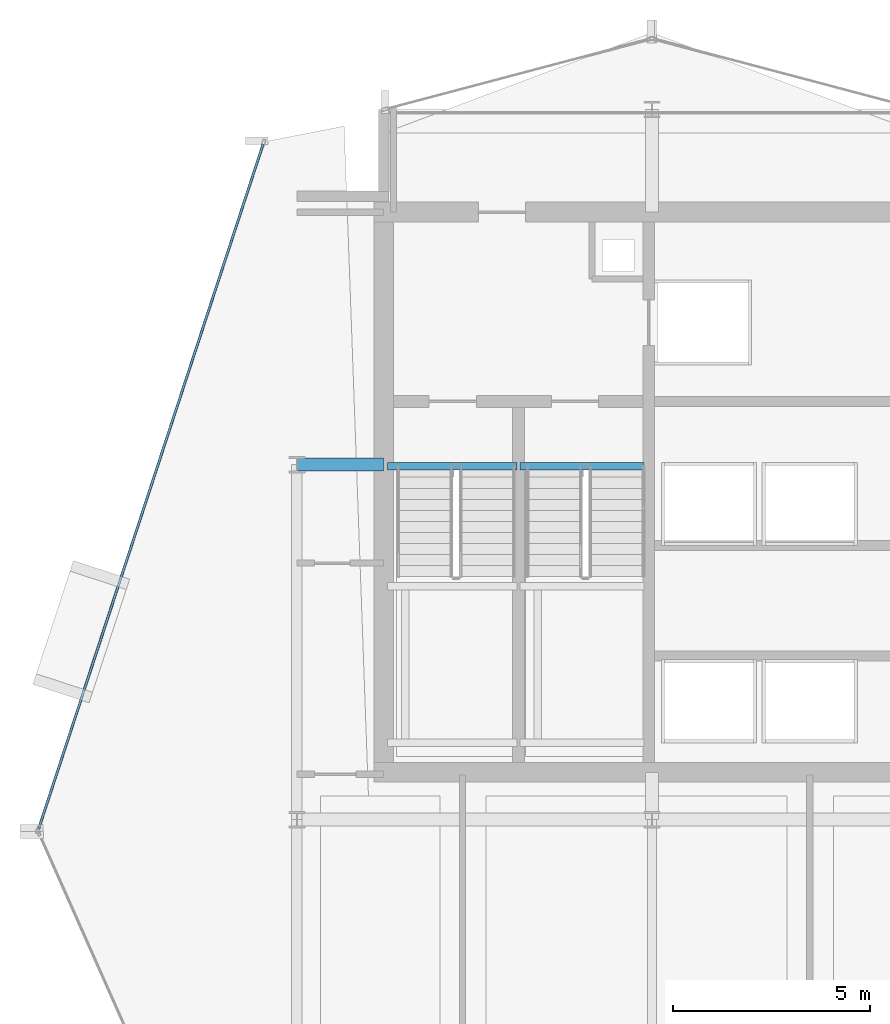
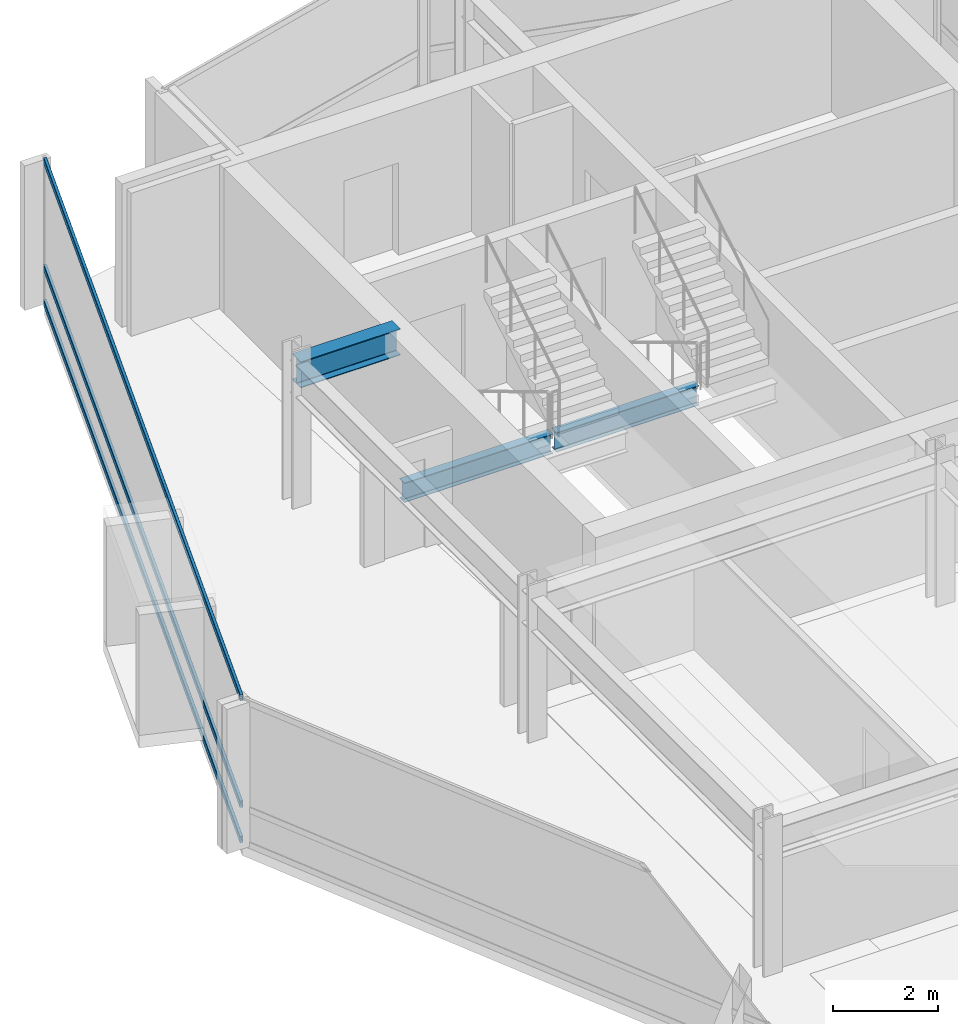
# One storey, part 15 of 27: 3 beams, 3 members, 1 element without a shape of its own.
"""IFC4 building model written with IfcOpenShell, lengths in metres."""

from ifc_helpers import new_model, si_unit, direction, frame, origin, origin_2d, place, context, subcontext, project, spatial, hollow_rectangle, i_section, extrude, material, layer, layer_set, material_profile, profile_set, type_object, element, aggregate, save


model = new_model("IFC4")

# Units and contexts
model_context = context("Model", 3, precision=1e-05, world=origin(), true_north=direction((0.0, 1.0)))
body_context = subcontext(model_context, "Body", "Model", "MODEL_VIEW")
ifc_project = project(units=[si_unit("LENGTHUNIT", "METRE"), si_unit("AREAUNIT", "SQUARE_METRE"), si_unit("VOLUMEUNIT", "CUBIC_METRE"), si_unit("PLANEANGLEUNIT", "RADIAN"), si_unit("MASSUNIT", "GRAM", prefix="KILO")], contexts=[model_context])

# Site, building, storey
site_placement = place(None, origin())
site = spatial("IfcSite", under=ifc_project, at=site_placement, CompositionType="ELEMENT")
building_placement = place(site_placement, origin())
building = spatial("IfcBuilding", under=site, at=building_placement, Name="Solvaryn Broadcast Tower", CompositionType="ELEMENT")
storey_placement = place(building_placement, frame((0.0, 0.0, 192.699951171875)))
storey = spatial("IfcBuildingStorey", under=building, at=storey_placement, Name="L48", CompositionType="ELEMENT", Elevation=192.699951171875)

# Beams
ifc_material_1 = material(Name="Steel ASTM A992 Grade 50", Category="steel")
ifc_material_profile_1 = material_profile(ifc_material_1, i_section(OverallWidth=0.323974609375, OverallDepth=0.611083984375, WebThickness=0.0126953125, FlangeThickness=0.01904296875, FilletRadius=0.014892578125, at=origin_2d()))
ifc_profile_set_1 = profile_set([ifc_material_profile_1], Name="Steel ASTM A992 Grade 50")
beam_type_1 = type_object("IfcBeamType", Name="BM-B1-W24X104", PredefinedType="BEAM", material=ifc_profile_set_1)
beam_1_placement = place(storey_placement, frame((9.0, 36.0, 3.064453125), z_axis=(1.0, 0.0, 0.0), x_axis=(0.0, 1.0, 0.0)))
element("IfcBeam", 1, at=beam_1_placement, inside=storey, type_object=beam_type_1, Name="L48 Core Tie Beam CTW1", PredefinedType="BEAM", context=body_context, shape_type="SweptSolid", body=[
    extrude(i_section(OverallWidth=0.323974609375, OverallDepth=0.611083984375, WebThickness=0.0126953125, FlangeThickness=0.01904296875, FilletRadius=0.014892578125, at=origin_2d()), origin(), (0.0, 0.0, 1.0), 2.199951171875),
])
ifc_material_2 = material(Name="Steel ASTM A992 Grade 50", Category="steel")
ifc_material_profile_2 = material_profile(ifc_material_2, i_section(OverallWidth=0.18994140625, OverallDepth=0.45703125, WebThickness=0.009033203125, FlangeThickness=0.014404296875, FilletRadius=0.011962890625, at=origin_2d()))
ifc_profile_set_2 = profile_set([ifc_material_profile_2], Name="Steel ASTM A992 Grade 50")
beam_type_2 = type_object("IfcBeamType", Name="BM-B4-W18X50", PredefinedType="BEAM", material=ifc_profile_set_2)
beam_2_placement = place(storey_placement, frame((11.300048828125, 35.9599609375, -0.508544921875), z_axis=(1.0, 0.0, 0.0), x_axis=(0.0, 1.0, 0.0)))
element("IfcBeam", 2, at=beam_2_placement, inside=storey, type_object=beam_type_2, Name="L48 ST1 Stair Well Trimmer Beam", PredefinedType="BEAM", context=body_context, shape_type="SweptSolid", body=[
    extrude(i_section(OverallWidth=0.18994140625, OverallDepth=0.45703125, WebThickness=0.009033203125, FlangeThickness=0.014404296875, FilletRadius=0.011962890625, at=origin_2d()), origin(), (0.0, 0.0, 1.0), 3.280029296875),
])
beam_3_placement = place(storey_placement, frame((14.659912109375, 35.9599609375, -0.508544921875), z_axis=(1.0, 0.0, 0.0), x_axis=(0.0, 1.0, 0.0)))
element("IfcBeam", 3, at=beam_3_placement, inside=storey, type_object=beam_type_2, Name="L48 ST2 Stair Well Trimmer Beam", PredefinedType="BEAM", context=body_context, shape_type="SweptSolid", body=[
    extrude(i_section(OverallWidth=0.18994140625, OverallDepth=0.45703125, WebThickness=0.009033203125, FlangeThickness=0.014404296875, FilletRadius=0.011962890625, at=origin_2d()), origin(), (0.0, 0.0, 1.0), 3.14013671875),
])

# Curtain wall, members
ifc_material_3 = material(Name="Aluminium and Terracotta Unitised Curtain Wall", Category="masonry")
ifc_layer = layer(ifc_material_3, 0.199951171875)
ifc_layer_set = layer_set([ifc_layer], Name="CW-SYS2-LOWMID")
curtain_wall_type = type_object("IfcCurtainWallType", Name="CW-SYS2-LOWMID", PredefinedType="NOTDEFINED", material=ifc_layer_set)
curtain_wall_placement = place(storey_placement, origin())
curtain_wall = element("IfcCurtainWall", 4, at=curtain_wall_placement, inside=storey, type_object=curtain_wall_type, Name="L48 Curtain Wall DR1", PredefinedType="NOTDEFINED")
ifc_material_4 = material(Name="Anodised Aluminium 6063-T6", Category="aluminium")
ifc_material_profile_3 = material_profile(ifc_material_4, hollow_rectangle(XDim=0.06494140625, YDim=0.14990234375, WallThickness=0.00390625, InnerFilletRadius=0.00390625, OuterFilletRadius=0.008056640625, at=origin_2d()))
ifc_profile_set_3 = profile_set([ifc_material_profile_3], Name="Anodised Aluminium 6063-T6")
member_type = type_object("IfcMemberType", Name="CW-TRN-150", PredefinedType="USERDEFINED", material=ifc_profile_set_3)
member_1_placement = place(storey_placement, frame((8.144287109375, 44.125, 0.030029296875), z_axis=(-0.311557987209, -0.950227141586, 0.0), x_axis=(0.950227141586, -0.311557987209, 0.0)))
member_1 = element("IfcMember", 5, at=member_1_placement, type_object=member_type, Name="CWS2 transom 1.1", ObjectType="TRANSOM", PredefinedType="USERDEFINED", context=body_context, shape_type="SweptSolid", body=[
    extrude(hollow_rectangle(XDim=0.06494140625, YDim=0.14990234375, WallThickness=0.00390625, InnerFilletRadius=0.00390625, OuterFilletRadius=0.008056640625, at=origin_2d()), origin(), (0.0, 0.0, 1.0), 18.271484375),
])
member_2_placement = place(storey_placement, frame((8.144287109375, 44.125, 0.85009765625), z_axis=(-0.311557987209, -0.950227141586, 0.0), x_axis=(0.950227141586, -0.311557987209, 0.0)))
member_2 = element("IfcMember", 6, at=member_2_placement, type_object=member_type, Name="CWS2 transom 1.2", ObjectType="TRANSOM", PredefinedType="USERDEFINED", context=body_context, shape_type="SweptSolid", body=[
    extrude(hollow_rectangle(XDim=0.06494140625, YDim=0.14990234375, WallThickness=0.00390625, InnerFilletRadius=0.00390625, OuterFilletRadius=0.008056640625, at=origin_2d()), origin(), (0.0, 0.0, 1.0), 18.271484375),
])
member_3_placement = place(storey_placement, frame((8.144287109375, 44.125, 3.340087890625), z_axis=(-0.311557987209, -0.950227141586, 0.0), x_axis=(0.950227141586, -0.311557987209, 0.0)))
member_3 = element("IfcMember", 7, at=member_3_placement, type_object=member_type, Name="CWS2 transom 1.3", ObjectType="TRANSOM", PredefinedType="USERDEFINED", context=body_context, shape_type="SweptSolid", body=[
    extrude(hollow_rectangle(XDim=0.06494140625, YDim=0.14990234375, WallThickness=0.00390625, InnerFilletRadius=0.00390625, OuterFilletRadius=0.008056640625, at=origin_2d()), origin(), (0.0, 0.0, 1.0), 18.271484375),
])
aggregate(curtain_wall, [member_1, member_2, member_3])

save(model, "model.ifc")
